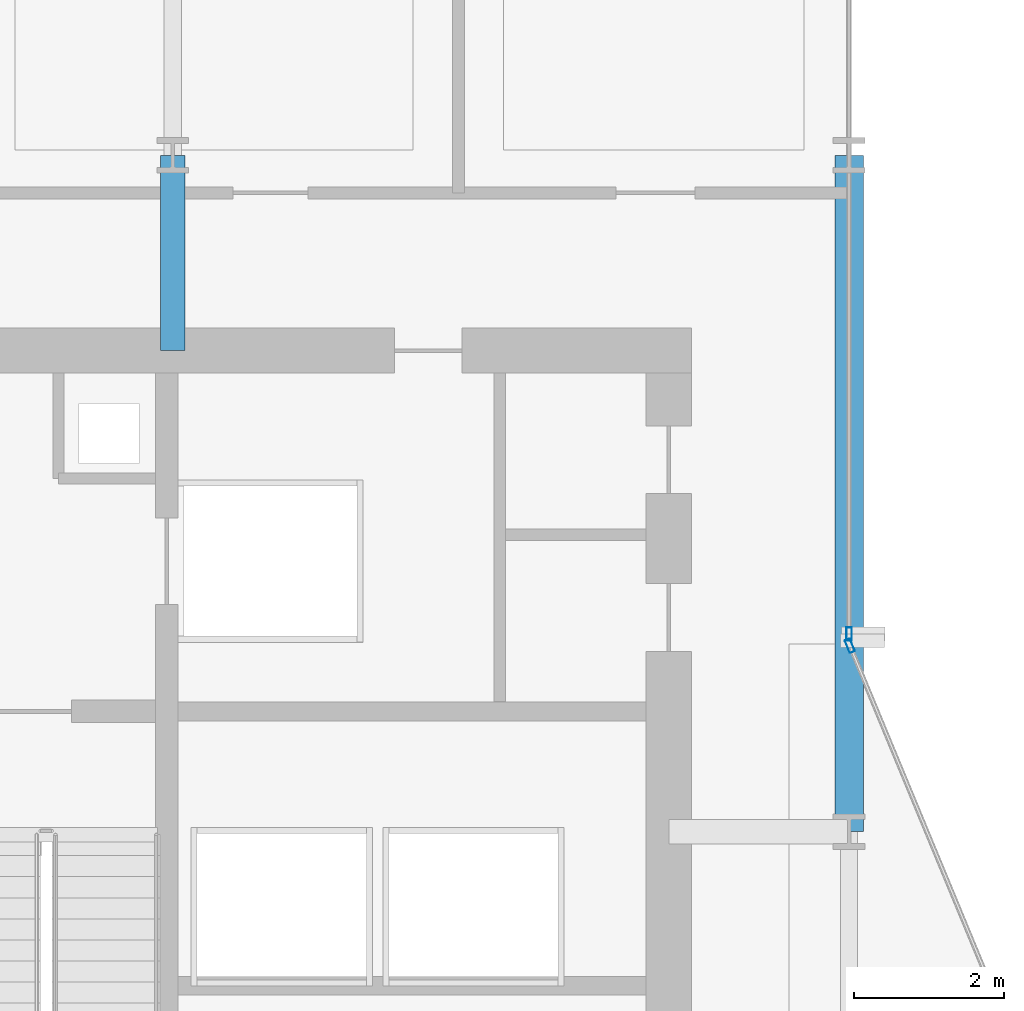
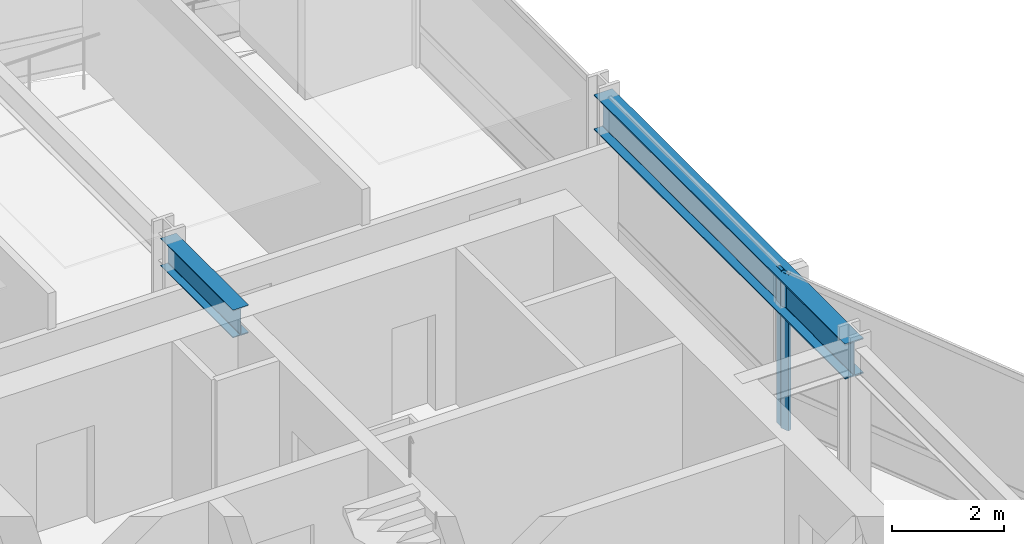
# One storey, part 21 of 34: 2 beams, 2 members, 2 elements without a shape of their own.
"""IFC4 building model written with IfcOpenShell, lengths in metres."""

from ifc_helpers import new_model, si_unit, direction, frame, origin, origin_2d, place, context, subcontext, project, spatial, hollow_rectangle, i_section, extrude, material, layer, layer_set, material_profile, profile_set, type_object, element, aggregate, save


model = new_model("IFC4")

# Units and contexts
model_context = context("Model", 3, precision=1e-05, world=origin(), true_north=direction((0.0, 1.0)))
body_context = subcontext(model_context, "Body", "Model", "MODEL_VIEW")
ifc_project = project(units=[si_unit("LENGTHUNIT", "METRE"), si_unit("AREAUNIT", "SQUARE_METRE"), si_unit("VOLUMEUNIT", "CUBIC_METRE"), si_unit("PLANEANGLEUNIT", "RADIAN"), si_unit("MASSUNIT", "GRAM", prefix="KILO")], contexts=[model_context])

# Site, building, storey
site_placement = place(None, origin())
site = spatial("IfcSite", under=ifc_project, at=site_placement, CompositionType="ELEMENT")
building_placement = place(site_placement, origin())
building = spatial("IfcBuilding", under=site, at=building_placement, Name="Solvaryn Broadcast Tower", CompositionType="ELEMENT")
storey_placement = place(building_placement, frame((0.0, 0.0, 92.800048828125)))
storey = spatial("IfcBuildingStorey", under=building, at=storey_placement, Name="L22", CompositionType="ELEMENT", Elevation=92.800048828125)

# Beams
ifc_material_1 = material(Name="Steel ASTM A992 Grade 50", Category="steel")
ifc_material_profile_1 = material_profile(ifc_material_1, i_section(OverallWidth=0.323974609375, OverallDepth=0.611083984375, WebThickness=0.0126953125, FlangeThickness=0.01904296875, FilletRadius=0.014892578125, at=origin_2d()))
ifc_profile_set_1 = profile_set([ifc_material_profile_1], Name="Steel ASTM A992 Grade 50")
beam_type_1 = type_object("IfcBeamType", Name="BM-B1-W24X104", PredefinedType="BEAM", material=ifc_profile_set_1)
beam_1_placement = place(storey_placement, frame((18.0, 42.39990234375, 3.114501953125), z_axis=(0.0, 1.0, 0.0), x_axis=(-1.0, 0.0, 0.0)))
element("IfcBeam", 1, at=beam_1_placement, inside=storey, type_object=beam_type_1, Name="L22 Core Tie Beam CTW3", PredefinedType="BEAM", context=body_context, shape_type="SweptSolid", body=[
    extrude(i_section(OverallWidth=0.323974609375, OverallDepth=0.611083984375, WebThickness=0.0126953125, FlangeThickness=0.01904296875, FilletRadius=0.014892578125, at=origin_2d()), origin(), (0.0, 0.0, 1.0), 2.60009765625),
])
ifc_material_2 = material(Name="Steel ASTM A992 Grade 50", Category="steel")
ifc_material_profile_2 = material_profile(ifc_material_2, i_section(OverallWidth=0.381103515625, OverallDepth=0.77294921875, WebThickness=0.0166015625, FlangeThickness=0.027099609375, FilletRadius=0.01806640625, at=origin_2d()))
ifc_profile_set_2 = profile_set([ifc_material_profile_2], Name="Steel ASTM A992 Grade 50")
beam_type_2 = type_object("IfcBeamType", Name="BM-SP1-W30X173", PredefinedType="USERDEFINED", material=ifc_profile_set_2)
beam_2_placement = place(storey_placement, frame((27.0, 36.0, 3.033447265625), z_axis=(0.0, 1.0, 0.0), x_axis=(-1.0, 0.0, 0.0)))
element("IfcBeam", 2, at=beam_2_placement, inside=storey, type_object=beam_type_2, Name="L22 Spandrel Beam Y (36-45 @ X=27)", ObjectType="SPANDREL", PredefinedType="USERDEFINED", context=body_context, shape_type="SweptSolid", body=[
    extrude(i_section(OverallWidth=0.381103515625, OverallDepth=0.77294921875, WebThickness=0.0166015625, FlangeThickness=0.027099609375, FilletRadius=0.01806640625, at=origin_2d()), origin(), (0.0, 0.0, 1.0), 9.0),
])

# Curtain wall, member
ifc_material_3 = material(Name="Aluminium and Terracotta Unitised Curtain Wall", Category="masonry")
ifc_layer = layer(ifc_material_3, 0.199951171875)
ifc_layer_set = layer_set([ifc_layer], Name="CW-SYS2-LOWMID")
curtain_wall_type = type_object("IfcCurtainWallType", Name="CW-SYS2-LOWMID", PredefinedType="NOTDEFINED", material=ifc_layer_set)
curtain_wall_1_placement = place(storey_placement, origin())
curtain_wall_1 = element("IfcCurtainWall", 3, at=curtain_wall_1_placement, inside=storey, type_object=curtain_wall_type, Name="L22 Curtain Wall IV", PredefinedType="NOTDEFINED")
ifc_material_4 = material(Name="Anodised Aluminium 6063-T6", Category="aluminium")
ifc_material_profile_3 = material_profile(ifc_material_4, hollow_rectangle(XDim=0.074951171875, YDim=0.179931640625, WallThickness=0.00390625, InnerFilletRadius=0.00390625, OuterFilletRadius=0.008056640625, at=origin_2d()))
ifc_profile_set_3 = profile_set([ifc_material_profile_3], Name="Anodised Aluminium 6063-T6")
member_type = type_object("IfcMemberType", Name="CW-MUL-180", PredefinedType="MULLION", material=ifc_profile_set_3)
member_1_placement = place(storey_placement, frame((27.0, 38.6298828125, 0.0), z_axis=(0.0, 0.0, 1.0), x_axis=(1.0, 0.0, 0.0)))
member_1 = element("IfcMember", 4, at=member_1_placement, type_object=member_type, Name="CWS2 mullion 2", PredefinedType="MULLION", context=body_context, shape_type="SweptSolid", body=[
    extrude(hollow_rectangle(XDim=0.074951171875, YDim=0.179931640625, WallThickness=0.00390625, InnerFilletRadius=0.00390625, OuterFilletRadius=0.008056640625, at=origin_2d()), origin(), (0.0, 0.0, 1.0), 3.419921875),
])
aggregate(curtain_wall_1, [member_1])

curtain_wall_2_placement = place(storey_placement, origin())
curtain_wall_2 = element("IfcCurtainWall", 5, at=curtain_wall_2_placement, inside=storey, type_object=curtain_wall_type, Name="L22 Curtain Wall CN2", PredefinedType="NOTDEFINED")
member_2_placement = place(storey_placement, frame((27.011474609375, 38.47216796875, 0.0), z_axis=(0.0, 0.0, 1.0), x_axis=(-0.923894983957, -0.382646127145, 0.0)))
member_2 = element("IfcMember", 6, at=member_2_placement, type_object=member_type, Name="CWS2 mullion 2", PredefinedType="MULLION", context=body_context, shape_type="SweptSolid", body=[
    extrude(hollow_rectangle(XDim=0.074951171875, YDim=0.179931640625, WallThickness=0.00390625, InnerFilletRadius=0.00390625, OuterFilletRadius=0.008056640625, at=origin_2d()), origin(), (0.0, 0.0, 1.0), 3.419921875),
])
aggregate(curtain_wall_2, [member_2])

save(model, "model.ifc")
